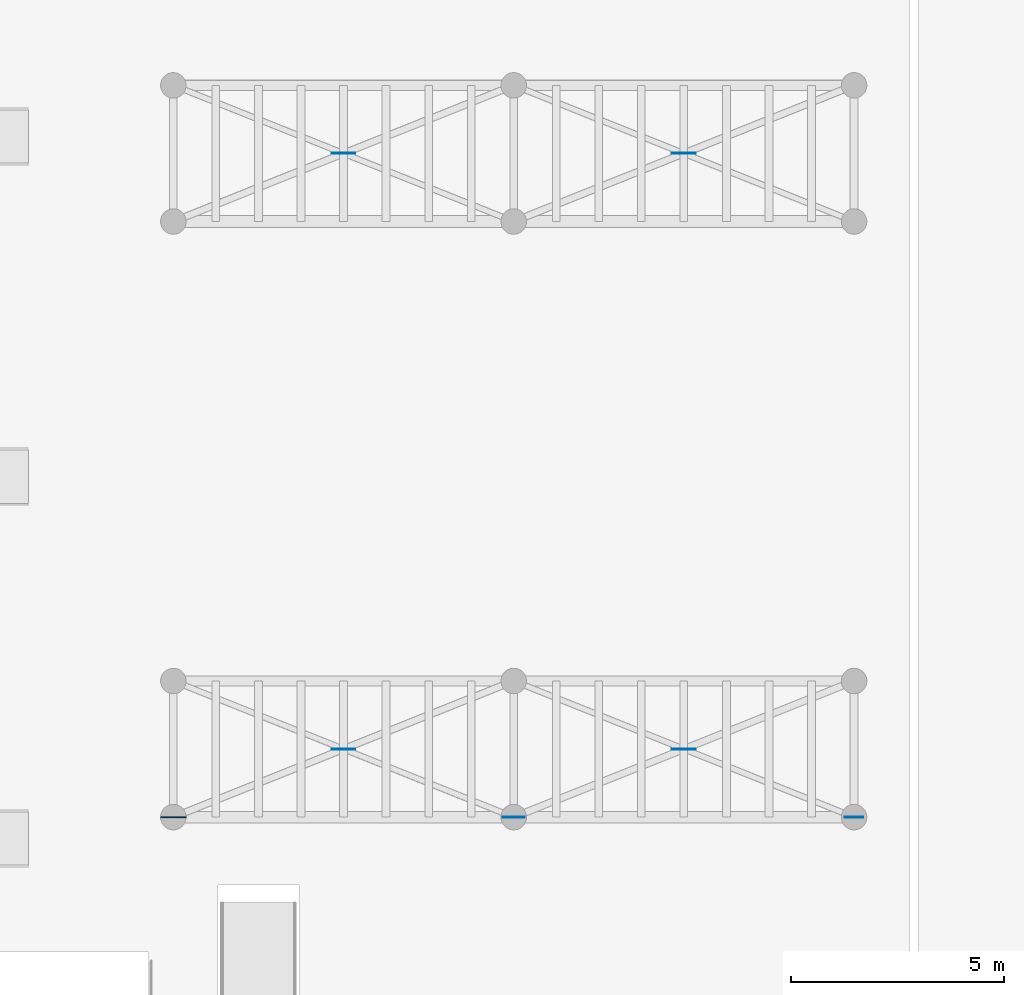
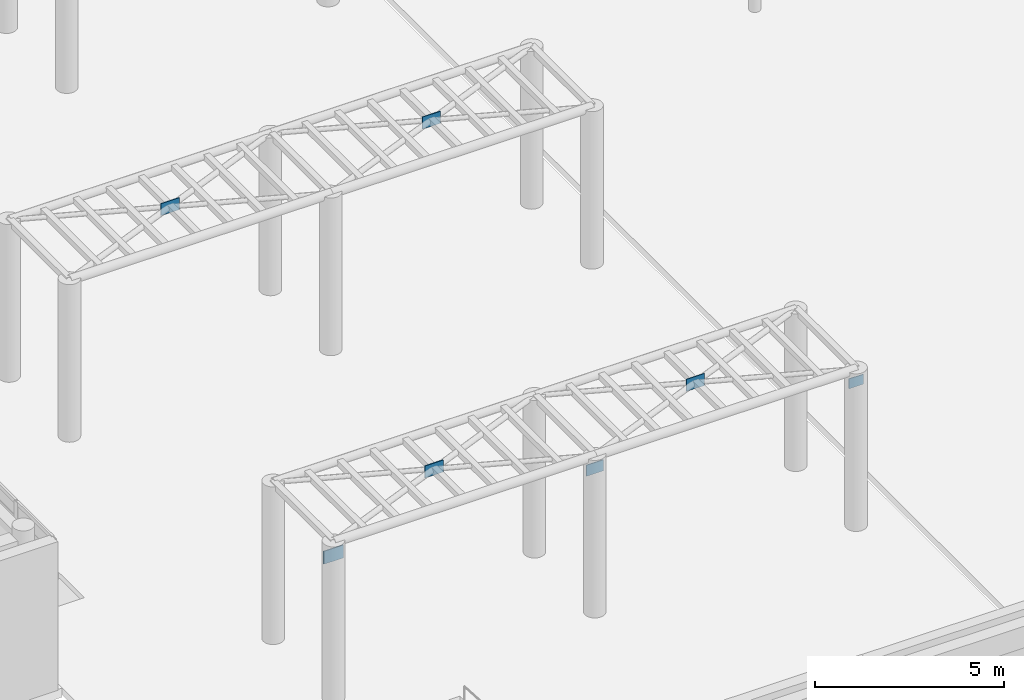
# One storey, part 90 of 121: 7 plates.
"""IFC4 building model written with IfcOpenShell, lengths in metres."""

from ifc_helpers import new_model, si_unit, direction, frame, origin, origin_2d, place, context, subcontext, project, spatial, rectangle, extrude, material, layer, layer_set, type_object, element, save


model = new_model("IFC4")

# Units and contexts
model_context = context("Model", 3, precision=1e-05, world=origin(), true_north=direction((0.0, 1.0)))
body_context = subcontext(model_context, "Body", "Model", "MODEL_VIEW")
ifc_project = project(units=[si_unit("LENGTHUNIT", "METRE"), si_unit("AREAUNIT", "SQUARE_METRE"), si_unit("VOLUMEUNIT", "CUBIC_METRE"), si_unit("PLANEANGLEUNIT", "RADIAN"), si_unit("MASSUNIT", "GRAM", prefix="KILO")], contexts=[model_context])

# Site, building, storey
site_placement = place(None, origin())
site = spatial("IfcSite", under=ifc_project, at=site_placement, CompositionType="ELEMENT")
building_placement = place(site_placement, origin())
building = spatial("IfcBuilding", under=site, at=building_placement, Name="Valcora Specialist Clinic", CompositionType="ELEMENT")
storey_placement = place(building_placement, origin())
storey = spatial("IfcBuildingStorey", under=building, at=storey_placement, Name="L00", CompositionType="ELEMENT", Elevation=0.0)

# Plates
ifc_material = material(Name="Steel ASTM A572 Grade 50", Category="steel")
ifc_layer_1 = layer(ifc_material, 0.02392578125)
ifc_layer_set_1 = layer_set([ifc_layer_1], Name="Steel ASTM A572 Grade 50")
plate_type_1 = type_object("IfcPlateType", Name="TY-PL-GS2", PredefinedType="USERDEFINED", material=ifc_layer_set_1)
plate_1_placement = place(storey_placement, frame((36.0, 34.0, 4.43994140625), z_axis=(0.0, 0.0, 1.0), x_axis=(1.0, 0.0, 0.0)))
element("IfcPlate", 1, at=plate_1_placement, inside=storey, type_object=plate_type_1, Name="Pergola node gusset 1", ObjectType="GUSSET_PLATE", PredefinedType="USERDEFINED", context=body_context, shape_type="SweptSolid", body=[
    extrude(rectangle(XDim=0.60009765625, YDim=0.02392578125, at=origin_2d()), origin(), (0.0, 0.0, 1.0), 0.419921875),
])
ifc_layer_2 = layer(ifc_material, 0.02197265625)
ifc_layer_set_2 = layer_set([ifc_layer_2], Name="Steel ASTM A572 Grade 50")
plate_type_2 = type_object("IfcPlateType", Name="TY-PL-GS3", PredefinedType="USERDEFINED", material=ifc_layer_set_2)
plate_2_placement = place(storey_placement, frame((44.0, 34.0, 4.4697265625), z_axis=(0.0, 0.0, 1.0), x_axis=(1.0, 0.0, 0.0)))
element("IfcPlate", 2, at=plate_2_placement, inside=storey, type_object=plate_type_2, Name="Pergola node gusset 2", ObjectType="GUSSET_PLATE", PredefinedType="USERDEFINED", context=body_context, shape_type="SweptSolid", body=[
    extrude(rectangle(XDim=0.52001953125, YDim=0.02197265625, at=origin_2d()), origin(), (0.0, 0.0, 1.0), 0.360107421875),
])
ifc_layer_3 = layer(ifc_material, 0.02001953125)
ifc_layer_set_3 = layer_set([ifc_layer_3], Name="Steel ASTM A572 Grade 50")
plate_type_3 = type_object("IfcPlateType", Name="TY-PL-GS4", PredefinedType="USERDEFINED", material=ifc_layer_set_3)
plate_3_placement = place(storey_placement, frame((52.0, 34.0, 4.48974609375), z_axis=(0.0, 0.0, 1.0), x_axis=(1.0, 0.0, 0.0)))
element("IfcPlate", 3, at=plate_3_placement, inside=storey, type_object=plate_type_3, Name="Pergola node gusset 3", ObjectType="GUSSET_PLATE", PredefinedType="USERDEFINED", context=body_context, shape_type="SweptSolid", body=[
    extrude(rectangle(XDim=0.43994140625, YDim=0.02001953125, at=origin_2d()), origin(), (0.0, 0.0, 1.0), 0.320068359375),
])
ifc_layer_4 = layer(ifc_material, 0.02294921875)
ifc_layer_set_4 = layer_set([ifc_layer_4], Name="Steel ASTM A572 Grade 50")
plate_type_4 = type_object("IfcPlateType", Name="TY-PL-GS6", PredefinedType="USERDEFINED", material=ifc_layer_set_4)
for number, where, z_axis, x_axis, name in (
    (4, (40.0, 35.60009765625, 4.85498046875), (0.0, 0.0, 1.0), (1.0, 0.0, 0.0), "Pergola X-brace crossing gusset 36-34"),
    (5, (48.0, 35.60009765625, 4.85498046875), (0.0, 0.0, 1.0), (1.0, 0.0, 0.0), "Pergola X-brace crossing gusset 44-34"),
    (6, (40.0, 49.60009765625, 4.85498046875), (0.0, 0.0, 1.0), (1.0, 0.0, 0.0), "Pergola X-brace crossing gusset 36-48"),
    (7, (48.0, 49.60009765625, 4.85498046875), (0.0, 0.0, 1.0), (1.0, 0.0, 0.0), "Pergola X-brace crossing gusset 44-48"),
):
    element("IfcPlate", number, at=place(storey_placement, frame(where, z_axis=z_axis, x_axis=x_axis)), inside=storey, type_object=plate_type_4, Name=name, ObjectType="GUSSET_PLATE", PredefinedType="USERDEFINED", context=body_context, shape_type="SweptSolid", body=[
        extrude(rectangle(XDim=0.56005859375, YDim=0.02294921875, at=origin_2d()), origin(), (0.0, 0.0, 1.0), 0.389892578125),
    ])

save(model, "model.ifc")
